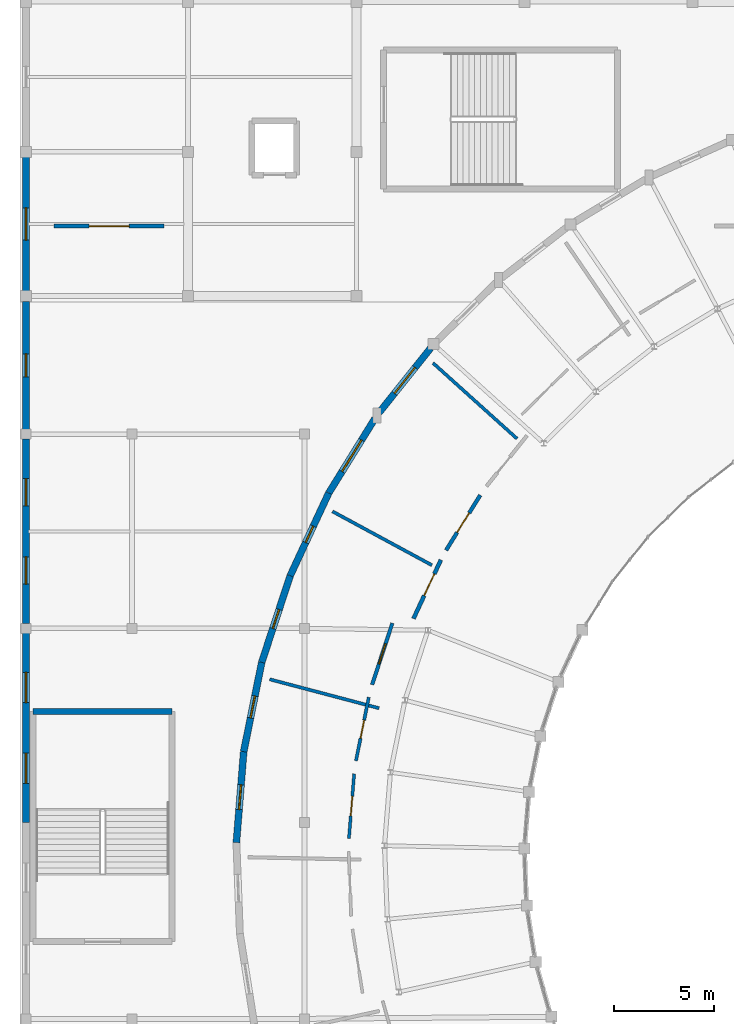
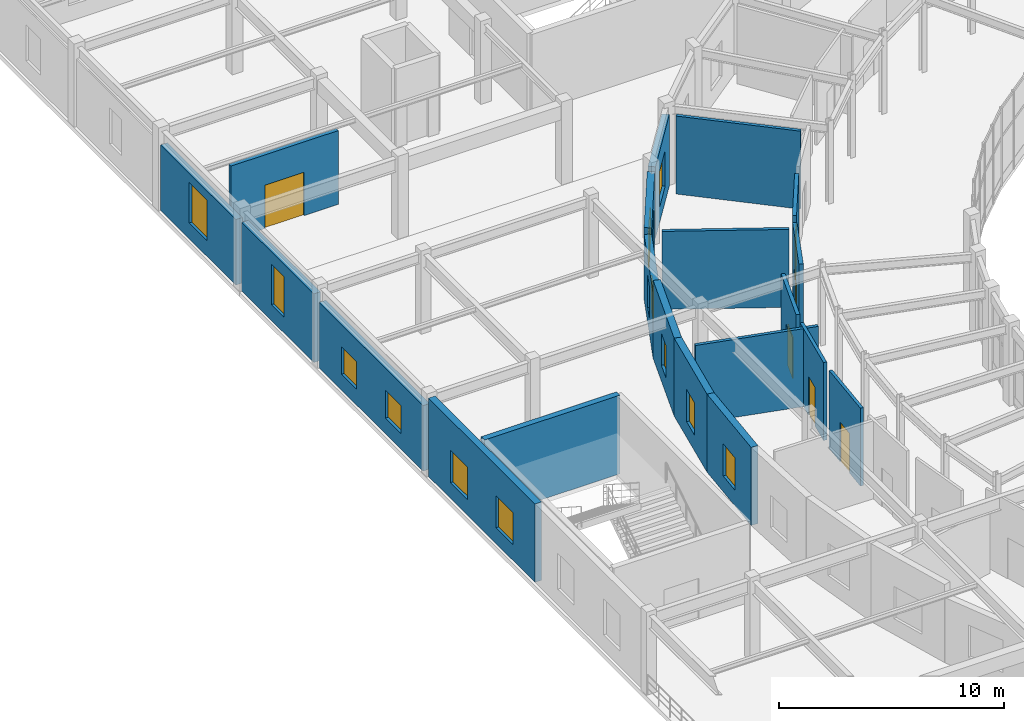
# One storey, part 86 of 112: 20 walls, 12 windows, 6 doors, 18 openings.
"""IFC4 building model written with IfcOpenShell, lengths in metres."""

from ifc_helpers import new_model, si_unit, direction, frame, frame_2d, origin, place, context, subcontext, project, spatial, rectangle, extrude, material, layer, layer_set, type_object, element, fill, save


model = new_model("IFC4")

# Units and contexts
model_context = context("Model", 3, precision=1e-05, world=origin(), true_north=direction((0.0, 1.0)))
body_context = subcontext(model_context, "Body", "Model", "MODEL_VIEW")
ifc_project = project(units=[si_unit("LENGTHUNIT", "METRE"), si_unit("AREAUNIT", "SQUARE_METRE"), si_unit("VOLUMEUNIT", "CUBIC_METRE"), si_unit("PLANEANGLEUNIT", "RADIAN"), si_unit("MASSUNIT", "GRAM", prefix="KILO")], contexts=[model_context])

# Site, building, storey
site_placement = place(None, origin())
site = spatial("IfcSite", under=ifc_project, at=site_placement, CompositionType="ELEMENT")
building_placement = place(site_placement, origin())
building = spatial("IfcBuilding", under=site, at=building_placement, Name="Cinderbank Siding Concert Hall", CompositionType="ELEMENT")
storey_placement = place(building_placement, frame((0.0, 0.0, 10.199951171875)))
storey = spatial("IfcBuildingStorey", under=building, at=storey_placement, Name="L03", CompositionType="ELEMENT", Elevation=10.199951171875)

# Wall
ifc_material_1 = material(Name="Reinforced concrete AS 3600 N50 (50 MPa)", Category="concrete")
ifc_layer_1 = layer(ifc_material_1, 0.300048828125)
ifc_layer_set_1 = layer_set([ifc_layer_1], Name="Reinforced concrete AS 3600 N50 (50 MPa)")
wall_type_1 = type_object("IfcWallType", Name="WL-03 Structural Wall 300mm", PredefinedType="SHEAR", material=ifc_layer_set_1)
wall_1_placement = place(storey_placement, frame((7.4599609375, 75.340087890625, 0.0), z_axis=(0.0, 0.0, 1.0), x_axis=(1.0, 0.0, 0.0)))
element("IfcWall", 1, at=wall_1_placement, inside=storey, type_object=wall_type_1, Name="L03 ST-09 Core Wall FAR", PredefinedType="SHEAR", context=body_context, shape_type="SweptSolid", body=[
    extrude(rectangle(XDim=6.93994140625, YDim=0.300048828125, at=frame_2d((3.469970703125, 0.0))), origin(), (0.0, 0.0, 1.0), 4.260009765625),
])

# Wall, opening, window
ifc_material_2 = material(Name="Clinker clay brickwork masonry AS 3700 (20 MPa)", Category="masonry")
ifc_layer_2 = layer(ifc_material_2, 0.340087890625)
ifc_layer_set_2 = layer_set([ifc_layer_2], Name="Clinker clay brickwork masonry AS 3700 (20 MPa)")
wall_type_2 = type_object("IfcWallType", Name="WL-07 Exterior Wall 340mm", PredefinedType="STANDARD", material=ifc_layer_set_2)
wall_2_placement = place(storey_placement, frame((27.301025390625, 93.491455078125, 0.0), z_axis=(0.0, 0.0, 1.0), x_axis=(-0.623868827064, -0.781529069592, 0.0)))
wall_2 = element("IfcWall", 2, at=wall_2_placement, inside=storey, type_object=wall_type_2, Name="L03 Facade Wall EW-WOUT-L03-06", PredefinedType="STANDARD", context=body_context, shape_type="SweptSolid", body=[
    extrude(rectangle(XDim=4.10986328125, YDim=0.340087890625, at=frame_2d((2.054931640625, 0.0))), origin(), (0.0, 0.0, 1.0), 3.876953125),
])
opening_1_placement = place(wall_2_placement, frame((1.22998046875, 0.0, 0.85009765625)))
opening_1 = element("IfcOpeningElement", 3, at=opening_1_placement, cuts=wall_2, Name="Opening WN-15", PredefinedType="OPENING", context=body_context, shape_type="SweptSolid", body=[
    extrude(rectangle(XDim=1.64990234375, YDim=1.949951171875, at=frame_2d((0.824951171875, 0.97509765625))), frame((0.0, 0.18212890625, 0.0), z_axis=(0.0, -1.0, 0.0), x_axis=(1.0, 0.0, 0.0)), (0.0, 0.0, 1.0), 0.364013671875),
])
ifc_material_3 = material(Name="Double-glazed laminated acoustic glass", Category="glass")
window_type_1 = type_object("IfcWindowType", Name="WN-15 Acoustic Casement Window 1650x1950", PartitioningType="DOUBLE_PANEL_VERTICAL", PredefinedType="WINDOW", material=ifc_material_3)
window_1_placement = place(opening_1_placement, origin())
window_1 = element("IfcWindow", 4, at=window_1_placement, inside=storey, type_object=window_type_1, Name="L03 Facade Window #31", OverallHeight=1.949951171875, OverallWidth=1.64990234375, PartitioningType="DOUBLE_PANEL_VERTICAL", PredefinedType="WINDOW", context=body_context, shape_type="SweptSolid", body=[
    extrude(rectangle(XDim=1.64990234375, YDim=1.949951171875, at=frame_2d((0.824951171875, 0.97509765625))), frame((0.0, 0.030029296875, 0.0), z_axis=(0.0, -1.0, 0.0), x_axis=(1.0, 0.0, 0.0)), (0.0, 0.0, 1.0), 0.06005859375),
])
fill(opening_1, window_1)

wall_3_placement = place(storey_placement, frame((24.524169921875, 89.977783203125, 0.0), z_axis=(0.0, 0.0, 1.0), x_axis=(-0.526962268349, -0.849888679614, 0.0)))
wall_3 = element("IfcWall", 5, at=wall_3_placement, inside=storey, type_object=wall_type_2, Name="L03 Facade Wall EW-WOUT-L03-07", PredefinedType="STANDARD", context=body_context, shape_type="SweptSolid", body=[
    extrude(rectangle(XDim=4.369873046875, YDim=0.340087890625, at=frame_2d((2.18505859375, 0.0))), origin(), (0.0, 0.0, 1.0), 3.876953125),
])
opening_2_placement = place(wall_3_placement, frame((1.259765625, 0.0, 0.85009765625)))
opening_2 = element("IfcOpeningElement", 6, at=opening_2_placement, cuts=wall_3, Name="Opening WN-16", PredefinedType="OPENING", context=body_context, shape_type="SweptSolid", body=[
    extrude(rectangle(XDim=1.85009765625, YDim=1.949951171875, at=frame_2d((0.925048828125, 0.97509765625))), frame((0.0, 0.18212890625, 0.0), z_axis=(0.0, -1.0, 0.0), x_axis=(1.0, 0.0, 0.0)), (0.0, 0.0, 1.0), 0.364013671875),
])
window_type_2 = type_object("IfcWindowType", Name="WN-16 Acoustic Casement Window 1850x1950", PartitioningType="DOUBLE_PANEL_VERTICAL", PredefinedType="WINDOW", material=ifc_material_3)
window_2_placement = place(opening_2_placement, origin())
window_2 = element("IfcWindow", 7, at=window_2_placement, inside=storey, type_object=window_type_2, Name="L03 Facade Window #32", OverallHeight=1.949951171875, OverallWidth=1.85009765625, PartitioningType="DOUBLE_PANEL_VERTICAL", PredefinedType="WINDOW", context=body_context, shape_type="SweptSolid", body=[
    extrude(rectangle(XDim=1.85009765625, YDim=1.949951171875, at=frame_2d((0.925048828125, 0.97509765625))), frame((0.0, 0.030029296875, 0.0), z_axis=(0.0, -1.0, 0.0), x_axis=(1.0, 0.0, 0.0)), (0.0, 0.0, 1.0), 0.06005859375),
])
fill(opening_2, window_2)

wall_4_placement = place(storey_placement, frame((22.221435546875, 86.263916015625, 0.0), z_axis=(0.0, 0.0, 1.0), x_axis=(-0.422603737243, -0.90631455978, 0.0)))
wall_4 = element("IfcWall", 8, at=wall_4_placement, inside=storey, type_object=wall_type_2, Name="L03 Facade Wall EW-WOUT-L03-08", PredefinedType="STANDARD", context=body_context, shape_type="SweptSolid", body=[
    extrude(rectangle(XDim=4.5546875, YDim=0.340087890625, at=frame_2d((2.27734375, 0.0))), origin(), (0.0, 0.0, 1.0), 3.527099609375),
])
opening_3_placement = place(wall_4_placement, frame((1.827392578125, 0.0, 0.85009765625)))
opening_3 = element("IfcOpeningElement", 9, at=opening_3_placement, cuts=wall_4, Name="Opening WN-17", PredefinedType="OPENING", context=body_context, shape_type="SweptSolid", body=[
    extrude(rectangle(XDim=0.89990234375, YDim=1.75, at=frame_2d((0.449951171875, 0.875))), frame((0.0, 0.18212890625, 0.0), z_axis=(0.0, -1.0, 0.0), x_axis=(1.0, 0.0, 0.0)), (0.0, 0.0, 1.0), 0.364013671875),
])
window_type_3 = type_object("IfcWindowType", Name="WN-17 Acoustic Casement Window 900x1750", PartitioningType="DOUBLE_PANEL_VERTICAL", PredefinedType="WINDOW", material=ifc_material_3)
window_3_placement = place(opening_3_placement, origin())
window_3 = element("IfcWindow", 10, at=window_3_placement, inside=storey, type_object=window_type_3, Name="L03 Facade Window #33", OverallHeight=1.75, OverallWidth=0.89990234375, PartitioningType="DOUBLE_PANEL_VERTICAL", PredefinedType="WINDOW", context=body_context, shape_type="SweptSolid", body=[
    extrude(rectangle(XDim=0.89990234375, YDim=1.75, at=frame_2d((0.449951171875, 0.875))), frame((0.0, 0.030029296875, 0.0), z_axis=(0.0, -1.0, 0.0), x_axis=(1.0, 0.0, 0.0)), (0.0, 0.0, 1.0), 0.06005859375),
])
fill(opening_3, window_3)

wall_5_placement = place(storey_placement, frame((20.296630859375, 82.135986328125, 0.0), z_axis=(0.0, 0.0, 1.0), x_axis=(-0.312333665048, -0.949972463642, 0.0)))
wall_5 = element("IfcWall", 11, at=wall_5_placement, inside=storey, type_object=wall_type_2, Name="L03 Facade Wall EW-WOUT-L03-09", PredefinedType="STANDARD", context=body_context, shape_type="SweptSolid", body=[
    extrude(rectangle(XDim=4.5546875, YDim=0.340087890625, at=frame_2d((2.27734375, 0.0))), origin(), (0.0, 0.0, 1.0), 4.22509765625),
])
opening_4_placement = place(wall_5_placement, frame((1.77734375, 0.0, 0.85009765625)))
opening_4 = element("IfcOpeningElement", 12, at=opening_4_placement, cuts=wall_5, Name="Opening WN-18", PredefinedType="OPENING", context=body_context, shape_type="SweptSolid", body=[
    extrude(rectangle(XDim=1.0, YDim=1.75, at=frame_2d((0.5, 0.875))), frame((0.0, 0.18212890625, 0.0), z_axis=(0.0, -1.0, 0.0), x_axis=(1.0, 0.0, 0.0)), (0.0, 0.0, 1.0), 0.364013671875),
])
window_type_4 = type_object("IfcWindowType", Name="WN-18 Acoustic Casement Window 1000x1750", PartitioningType="DOUBLE_PANEL_VERTICAL", PredefinedType="WINDOW", material=ifc_material_3)
window_4_placement = place(opening_4_placement, origin())
window_4 = element("IfcWindow", 13, at=window_4_placement, inside=storey, type_object=window_type_4, Name="L03 Facade Window #34", OverallHeight=1.75, OverallWidth=1.0, PartitioningType="DOUBLE_PANEL_VERTICAL", PredefinedType="WINDOW", context=body_context, shape_type="SweptSolid", body=[
    extrude(rectangle(XDim=1.0, YDim=1.75, at=frame_2d((0.5, 0.875))), frame((0.0, 0.030029296875, 0.0), z_axis=(0.0, -1.0, 0.0), x_axis=(1.0, 0.0, 0.0)), (0.0, 0.0, 1.0), 0.06005859375),
])
fill(opening_4, window_4)

wall_6_placement = place(storey_placement, frame((18.8740234375, 77.80908203125, 0.0), z_axis=(0.0, 0.0, 1.0), x_axis=(-0.197682700785, -0.980266060726, 0.0)))
wall_6 = element("IfcWall", 14, at=wall_6_placement, inside=storey, type_object=wall_type_2, Name="L03 Facade Wall EW-WOUT-L03-10", PredefinedType="STANDARD", context=body_context, shape_type="SweptSolid", body=[
    extrude(rectangle(XDim=4.5546875, YDim=0.340087890625, at=frame_2d((2.27734375, 0.0))), origin(), (0.0, 0.0, 1.0), 4.22509765625),
])
opening_5_placement = place(wall_6_placement, frame((1.71728515625, 0.0, 0.85009765625)))
opening_5 = element("IfcOpeningElement", 15, at=opening_5_placement, cuts=wall_6, Name="Opening WN-19", PredefinedType="OPENING", context=body_context, shape_type="SweptSolid", body=[
    extrude(rectangle(XDim=1.1201171875, YDim=1.75, at=frame_2d((0.56005859375, 0.875))), frame((0.0, 0.18212890625, 0.0), z_axis=(0.0, -1.0, 0.0), x_axis=(1.0, 0.0, 0.0)), (0.0, 0.0, 1.0), 0.364013671875),
])
window_type_5 = type_object("IfcWindowType", Name="WN-19 Acoustic Casement Window 1120x1750", PartitioningType="DOUBLE_PANEL_VERTICAL", PredefinedType="WINDOW", material=ifc_material_3)
window_5_placement = place(opening_5_placement, origin())
window_5 = element("IfcWindow", 16, at=window_5_placement, inside=storey, type_object=window_type_5, Name="L03 Facade Window #35", OverallHeight=1.75, OverallWidth=1.1201171875, PartitioningType="DOUBLE_PANEL_VERTICAL", PredefinedType="WINDOW", context=body_context, shape_type="SweptSolid", body=[
    extrude(rectangle(XDim=1.1201171875, YDim=1.75, at=frame_2d((0.56005859375, 0.875))), frame((0.0, 0.030029296875, 0.0), z_axis=(0.0, -1.0, 0.0), x_axis=(1.0, 0.0, 0.0)), (0.0, 0.0, 1.0), 0.06005859375),
])
fill(opening_5, window_5)

wall_7_placement = place(storey_placement, frame((17.9736328125, 73.34423828125, 0.0), z_axis=(0.0, 0.0, 1.0), x_axis=(-0.080188345633, -0.996779729541, 0.0)))
wall_7 = element("IfcWall", 17, at=wall_7_placement, inside=storey, type_object=wall_type_2, Name="L03 Facade Wall EW-WOUT-L03-11", PredefinedType="STANDARD", context=body_context, shape_type="SweptSolid", body=[
    extrude(rectangle(XDim=4.5546875, YDim=0.340087890625, at=frame_2d((2.27734375, 0.0))), origin(), (0.0, 0.0, 1.0), 4.22509765625),
])
opening_6_placement = place(wall_7_placement, frame((1.6572265625, 0.0, 0.85009765625)))
opening_6 = element("IfcOpeningElement", 18, at=opening_6_placement, cuts=wall_7, Name="Opening WN-20", PredefinedType="OPENING", context=body_context, shape_type="SweptSolid", body=[
    extrude(rectangle(XDim=1.239990234375, YDim=1.75, at=frame_2d((0.6201171875, 0.875))), frame((0.0, 0.18212890625, 0.0), z_axis=(0.0, -1.0, 0.0), x_axis=(1.0, 0.0, 0.0)), (0.0, 0.0, 1.0), 0.364013671875),
])
window_type_6 = type_object("IfcWindowType", Name="WN-20 Acoustic Casement Window 1240x1750", PartitioningType="DOUBLE_PANEL_VERTICAL", PredefinedType="WINDOW", material=ifc_material_3)
window_6_placement = place(opening_6_placement, origin())
window_6 = element("IfcWindow", 19, at=window_6_placement, inside=storey, type_object=window_type_6, Name="L03 Facade Window #36", OverallHeight=1.75, OverallWidth=1.239990234375, PartitioningType="DOUBLE_PANEL_VERTICAL", PredefinedType="WINDOW", context=body_context, shape_type="SweptSolid", body=[
    extrude(rectangle(XDim=1.239990234375, YDim=1.75, at=frame_2d((0.6201171875, 0.875))), frame((0.0, 0.030029296875, 0.0), z_axis=(0.0, -1.0, 0.0), x_axis=(1.0, 0.0, 0.0)), (0.0, 0.0, 1.0), 0.06005859375),
])
fill(opening_6, window_6)

# Wall, openings, windows
wall_8_placement = place(storey_placement, frame((7.10009765625, 69.800048828125, 0.0), z_axis=(0.0, 0.0, 1.0), x_axis=(0.0, 1.0, 0.0)))
wall_8 = element("IfcWall", 20, at=wall_8_placement, inside=storey, type_object=wall_type_2, Name="L03 Facade Wall EW-WL-W3-L03", PredefinedType="STANDARD", context=body_context, shape_type="SweptSolid", body=[
    extrude(rectangle(XDim=9.46484375, YDim=0.340087890625, at=frame_2d((4.732421875, 0.0))), origin(), (0.0, 0.0, 1.0), 4.2451171875),
])
opening_7_placement = place(wall_8_placement, frame((1.956298828125, 0.0, 0.85009765625)))
opening_7 = element("IfcOpeningElement", 21, at=opening_7_placement, cuts=wall_8, Name="Opening WN-22", PredefinedType="OPENING", context=body_context, shape_type="SweptSolid", body=[
    extrude(rectangle(XDim=1.52001953125, YDim=1.75, at=frame_2d((0.760009765625, 0.875))), frame((0.0, 0.18212890625, 0.0), z_axis=(0.0, -1.0, 0.0), x_axis=(1.0, 0.0, 0.0)), (0.0, 0.0, 1.0), 0.364013671875),
])
opening_8_placement = place(wall_8_placement, frame((5.98876953125, 0.0, 0.85009765625)))
opening_8 = element("IfcOpeningElement", 22, at=opening_8_placement, cuts=wall_8, Name="Opening WN-22", PredefinedType="OPENING", context=body_context, shape_type="SweptSolid", body=[
    extrude(rectangle(XDim=1.52001953125, YDim=1.75, at=frame_2d((0.760009765625, 0.875))), frame((0.0, 0.18212890625, 0.0), z_axis=(0.0, -1.0, 0.0), x_axis=(1.0, 0.0, 0.0)), (0.0, 0.0, 1.0), 0.364013671875),
])
window_type_7 = type_object("IfcWindowType", Name="WN-22 Acoustic Casement Window 1520x1750", PartitioningType="DOUBLE_PANEL_VERTICAL", PredefinedType="WINDOW", material=ifc_material_3)
window_7_placement = place(opening_7_placement, origin())
window_7 = element("IfcWindow", 23, at=window_7_placement, inside=storey, type_object=window_type_7, Name="L03 Facade Window #100", OverallHeight=1.75, OverallWidth=1.52001953125, PartitioningType="DOUBLE_PANEL_VERTICAL", PredefinedType="WINDOW", context=body_context, shape_type="SweptSolid", body=[
    extrude(rectangle(XDim=1.52001953125, YDim=1.75, at=frame_2d((0.760009765625, 0.875))), frame((0.0, 0.030029296875, 0.0), z_axis=(0.0, -1.0, 0.0), x_axis=(1.0, 0.0, 0.0)), (0.0, 0.0, 1.0), 0.06005859375),
])
fill(opening_7, window_7)
window_8_placement = place(opening_8_placement, origin())
window_8 = element("IfcWindow", 24, at=window_8_placement, inside=storey, type_object=window_type_7, Name="L03 Facade Window #101", OverallHeight=1.75, OverallWidth=1.52001953125, PartitioningType="DOUBLE_PANEL_VERTICAL", PredefinedType="WINDOW", context=body_context, shape_type="SweptSolid", body=[
    extrude(rectangle(XDim=1.52001953125, YDim=1.75, at=frame_2d((0.760009765625, 0.875))), frame((0.0, 0.030029296875, 0.0), z_axis=(0.0, -1.0, 0.0), x_axis=(1.0, 0.0, 0.0)), (0.0, 0.0, 1.0), 0.06005859375),
])
fill(opening_8, window_8)

wall_9_placement = place(storey_placement, frame((7.10009765625, 79.735107421875, 0.0), z_axis=(0.0, 0.0, 1.0), x_axis=(0.0, 1.0, 0.0)))
wall_9 = element("IfcWall", 25, at=wall_9_placement, inside=storey, type_object=wall_type_2, Name="L03 Facade Wall EW-WL-W4-L03", PredefinedType="STANDARD", context=body_context, shape_type="SweptSolid", body=[
    extrude(rectangle(XDim=9.22998046875, YDim=0.340087890625, at=frame_2d((4.614990234375, 0.0))), origin(), (0.0, 0.0, 1.0), 3.547119140625),
])
opening_9_placement = place(wall_9_placement, frame((1.9775390625, 0.0, 0.85009765625)))
opening_9 = element("IfcOpeningElement", 26, at=opening_9_placement, cuts=wall_9, Name="Opening WN-28", PredefinedType="OPENING", context=body_context, shape_type="SweptSolid", body=[
    extrude(rectangle(XDim=1.360107421875, YDim=1.5, at=frame_2d((0.68017578125, 0.75))), frame((0.0, 0.18212890625, 0.0), z_axis=(0.0, -1.0, 0.0), x_axis=(1.0, 0.0, 0.0)), (0.0, 0.0, 1.0), 0.364013671875),
])
opening_10_placement = place(wall_9_placement, frame((5.892578125, 0.0, 0.85009765625)))
opening_10 = element("IfcOpeningElement", 27, at=opening_10_placement, cuts=wall_9, Name="Opening WN-28", PredefinedType="OPENING", context=body_context, shape_type="SweptSolid", body=[
    extrude(rectangle(XDim=1.360107421875, YDim=1.5, at=frame_2d((0.68017578125, 0.75))), frame((0.0, 0.18212890625, 0.0), z_axis=(0.0, -1.0, 0.0), x_axis=(1.0, 0.0, 0.0)), (0.0, 0.0, 1.0), 0.364013671875),
])
window_type_8 = type_object("IfcWindowType", Name="WN-28 Acoustic Casement Window 1360x1500", PartitioningType="DOUBLE_PANEL_VERTICAL", PredefinedType="WINDOW", material=ifc_material_3)
window_9_placement = place(opening_9_placement, origin())
window_9 = element("IfcWindow", 28, at=window_9_placement, inside=storey, type_object=window_type_8, Name="L03 Facade Window #106", OverallHeight=1.5, OverallWidth=1.360107421875, PartitioningType="DOUBLE_PANEL_VERTICAL", PredefinedType="WINDOW", context=body_context, shape_type="SweptSolid", body=[
    extrude(rectangle(XDim=1.360107421875, YDim=1.5, at=frame_2d((0.68017578125, 0.75))), frame((0.0, 0.030029296875, 0.0), z_axis=(0.0, -1.0, 0.0), x_axis=(1.0, 0.0, 0.0)), (0.0, 0.0, 1.0), 0.06005859375),
])
fill(opening_9, window_9)
window_10_placement = place(opening_10_placement, origin())
window_10 = element("IfcWindow", 29, at=window_10_placement, inside=storey, type_object=window_type_8, Name="L03 Facade Window #107", OverallHeight=1.5, OverallWidth=1.360107421875, PartitioningType="DOUBLE_PANEL_VERTICAL", PredefinedType="WINDOW", context=body_context, shape_type="SweptSolid", body=[
    extrude(rectangle(XDim=1.360107421875, YDim=1.5, at=frame_2d((0.68017578125, 0.75))), frame((0.0, 0.030029296875, 0.0), z_axis=(0.0, -1.0, 0.0), x_axis=(1.0, 0.0, 0.0)), (0.0, 0.0, 1.0), 0.06005859375),
])
fill(opening_10, window_10)

# Wall, opening, window
wall_10_placement = place(storey_placement, frame((7.10009765625, 89.43505859375, 0.0), z_axis=(0.0, 0.0, 1.0), x_axis=(0.0, 1.0, 0.0)))
wall_10 = element("IfcWall", 30, at=wall_10_placement, inside=storey, type_object=wall_type_2, Name="L03 Facade Wall EW-WL-W5-L03", PredefinedType="STANDARD", context=body_context, shape_type="SweptSolid", body=[
    extrude(rectangle(XDim=6.405029296875, YDim=0.340087890625, at=frame_2d((3.20263671875, 0.0))), origin(), (0.0, 0.0, 1.0), 3.71875),
])
opening_11_placement = place(wall_10_placement, frame((2.62744140625, 0.0, 0.85009765625)))
opening_11 = element("IfcOpeningElement", 31, at=opening_11_placement, cuts=wall_10, Name="Opening WN-04", PredefinedType="OPENING", context=body_context, shape_type="SweptSolid", body=[
    extrude(rectangle(XDim=1.14990234375, YDim=2.199951171875, at=frame_2d((0.574951171875, 1.10009765625))), frame((0.0, 0.18212890625, 0.0), z_axis=(0.0, -1.0, 0.0), x_axis=(1.0, 0.0, 0.0)), (0.0, 0.0, 1.0), 0.364013671875),
])
window_type_9 = type_object("IfcWindowType", Name="WN-04 Acoustic Casement Window 1150x2200", PartitioningType="DOUBLE_PANEL_VERTICAL", PredefinedType="WINDOW", material=ifc_material_3)
window_11_placement = place(opening_11_placement, origin())
window_11 = element("IfcWindow", 32, at=window_11_placement, inside=storey, type_object=window_type_9, Name="L03 Facade Window #112", OverallHeight=2.199951171875, OverallWidth=1.14990234375, PartitioningType="DOUBLE_PANEL_VERTICAL", PredefinedType="WINDOW", context=body_context, shape_type="SweptSolid", body=[
    extrude(rectangle(XDim=1.14990234375, YDim=2.199951171875, at=frame_2d((0.574951171875, 1.10009765625))), frame((0.0, 0.030029296875, 0.0), z_axis=(0.0, -1.0, 0.0), x_axis=(1.0, 0.0, 0.0)), (0.0, 0.0, 1.0), 0.06005859375),
])
fill(opening_11, window_11)

wall_11_placement = place(storey_placement, frame((7.10009765625, 96.360107421875, 0.0), z_axis=(0.0, 0.0, 1.0), x_axis=(0.0, 1.0, 0.0)))
wall_11 = element("IfcWall", 33, at=wall_11_placement, inside=storey, type_object=wall_type_2, Name="L03 Facade Wall EW-NW-W1-L03", PredefinedType="STANDARD", context=body_context, shape_type="SweptSolid", body=[
    extrude(rectangle(XDim=6.679931640625, YDim=0.340087890625, at=frame_2d((3.33984375, 0.0))), origin(), (0.0, 0.0, 1.0), 3.547119140625),
])
opening_12_placement = place(wall_11_placement, frame((2.5400390625, 0.0, 0.85009765625)))
opening_12 = element("IfcOpeningElement", 34, at=opening_12_placement, cuts=wall_11, Name="Opening WN-07", PredefinedType="OPENING", context=body_context, shape_type="SweptSolid", body=[
    extrude(rectangle(XDim=1.60009765625, YDim=2.199951171875, at=frame_2d((0.800048828125, 1.10009765625))), frame((0.0, 0.18212890625, 0.0), z_axis=(0.0, -1.0, 0.0), x_axis=(1.0, 0.0, 0.0)), (0.0, 0.0, 1.0), 0.364013671875),
])
window_type_10 = type_object("IfcWindowType", Name="WN-07 Acoustic Casement Window 1600x2200", PartitioningType="DOUBLE_PANEL_VERTICAL", PredefinedType="WINDOW", material=ifc_material_3)
window_12_placement = place(opening_12_placement, origin())
window_12 = element("IfcWindow", 35, at=window_12_placement, inside=storey, type_object=window_type_10, Name="L03 Facade Window #115", OverallHeight=2.199951171875, OverallWidth=1.60009765625, PartitioningType="DOUBLE_PANEL_VERTICAL", PredefinedType="WINDOW", context=body_context, shape_type="SweptSolid", body=[
    extrude(rectangle(XDim=1.60009765625, YDim=2.199951171875, at=frame_2d((0.800048828125, 1.10009765625))), frame((0.0, 0.030029296875, 0.0), z_axis=(0.0, -1.0, 0.0), x_axis=(1.0, 0.0, 0.0)), (0.0, 0.0, 1.0), 0.06005859375),
])
fill(opening_12, window_12)

# Wall, opening, door
ifc_material_4 = material(Name="Acoustic plasterboard on light-gauge steel studs", Category="gypsum")
ifc_layer_3 = layer(ifc_material_4, 0.199951171875)
ifc_layer_set_3 = layer_set([ifc_layer_3], Name="Acoustic plasterboard on light-gauge steel studs")
wall_type_3 = type_object("IfcWallType", Name="WL-12 Interior Wall 200mm", PredefinedType="PARTITIONING", material=ifc_layer_set_3)
wall_12_placement = place(storey_placement, frame((27.822265625, 82.92529296875, 0.0), z_axis=(0.0, 0.0, 1.0), x_axis=(-0.422670745522, -0.906283311597, 0.0)))
wall_12 = element("IfcWall", 36, at=wall_12_placement, inside=storey, type_object=wall_type_3, Name="L03 Partition Studio Bay W08", PredefinedType="PARTITIONING", context=body_context, shape_type="SweptSolid", body=[
    extrude(rectangle(XDim=3.237060546875, YDim=0.199951171875, at=frame_2d((1.61865234375, 0.0))), origin(), (0.0, 0.0, 1.0), 4.22509765625),
])
opening_13_placement = place(wall_12_placement, frame((0.7685546875, 0.0, 0.0)))
opening_13 = element("IfcOpeningElement", 37, at=opening_13_placement, cuts=wall_12, Name="Opening D-12", PredefinedType="OPENING", context=body_context, shape_type="SweptSolid", body=[
    extrude(rectangle(XDim=1.199951171875, YDim=2.300048828125, at=frame_2d((0.60009765625, 1.14990234375))), frame((0.0, 0.11181640625, 0.0), z_axis=(0.0, -1.0, 0.0), x_axis=(1.0, 0.0, 0.0)), (0.0, 0.0, 1.0), 0.223876953125),
])
ifc_material_5 = material(Name="Solid-core spotted gum acoustic timber", Category="wood")
door_type_1 = type_object("IfcDoorType", Name="D-12 Interior Door 1200x2300", OperationType="NOTDEFINED", PredefinedType="DOOR", material=ifc_material_5)
door_1_placement = place(opening_13_placement, origin())
door_1 = element("IfcDoor", 38, at=door_1_placement, inside=storey, type_object=door_type_1, Name="L03 Studio Bay W08 Door L03-D216", OperationType="SINGLE_SWING_LEFT", OverallHeight=2.300048828125, OverallWidth=1.199951171875, PredefinedType="DOOR", context=body_context, shape_type="SweptSolid", body=[
    extrude(rectangle(XDim=1.199951171875, YDim=2.300048828125, at=frame_2d((0.60009765625, 1.14990234375))), frame((0.0, 0.02490234375, 0.0), z_axis=(0.0, -1.0, 0.0), x_axis=(1.0, 0.0, 0.0)), (0.0, 0.0, 1.0), 0.050048828125),
])
fill(opening_13, door_1)

wall_13_placement = place(storey_placement, frame((8.5, 99.60009765625, 0.0), z_axis=(0.0, 0.0, 1.0), x_axis=(1.0, 0.0, 0.0)))
wall_13 = element("IfcWall", 39, at=wall_13_placement, inside=storey, type_object=wall_type_3, Name="L03 Partition Music Library West", PredefinedType="PARTITIONING", context=body_context, shape_type="SweptSolid", body=[
    extrude(rectangle(XDim=5.5, YDim=0.199951171875, at=frame_2d((2.75, 0.0))), origin(), (0.0, 0.0, 1.0), 3.995361328125),
])
opening_14_placement = place(wall_13_placement, frame((1.75, 0.0, 0.0)))
opening_14 = element("IfcOpeningElement", 40, at=opening_14_placement, cuts=wall_13, Name="Opening D-07", PredefinedType="OPENING", context=body_context, shape_type="SweptSolid", body=[
    extrude(rectangle(XDim=2.0, YDim=2.35009765625, at=frame_2d((1.0, 1.175048828125))), frame((0.0, 0.11181640625, 0.0), z_axis=(0.0, -1.0, 0.0), x_axis=(1.0, 0.0, 0.0)), (0.0, 0.0, 1.0), 0.223876953125),
])
door_type_2 = type_object("IfcDoorType", Name="D-07 Interior Door 2000x2350", OperationType="DOUBLE_DOOR_SINGLE_SWING", PredefinedType="DOOR", material=ifc_material_5)
door_2_placement = place(opening_14_placement, origin())
door_2 = element("IfcDoor", 41, at=door_2_placement, inside=storey, type_object=door_type_2, Name="L03 Music Library West Door L03-D269", OperationType="DOUBLE_DOOR_SINGLE_SWING", OverallHeight=2.35009765625, OverallWidth=2.0, PredefinedType="DOOR", context=body_context, shape_type="SweptSolid", body=[
    extrude(rectangle(XDim=2.0, YDim=2.35009765625, at=frame_2d((1.0, 1.175048828125))), frame((0.0, 0.02490234375, 0.0), z_axis=(0.0, -1.0, 0.0), x_axis=(1.0, 0.0, 0.0)), (0.0, 0.0, 1.0), 0.050048828125),
])
fill(opening_14, door_2)

ifc_layer_4 = layer(ifc_material_4, 0.179931640625)
ifc_layer_set_4 = layer_set([ifc_layer_4], Name="Acoustic plasterboard on light-gauge steel studs")
wall_type_4 = type_object("IfcWallType", Name="WL-13 Interior Wall 180mm", PredefinedType="PARTITIONING", material=ifc_layer_set_4)
wall_14_placement = place(storey_placement, frame((25.398193359375, 79.76513671875, 0.0), z_axis=(0.0, 0.0, 1.0), x_axis=(-0.312310818937, -0.949979974723, 0.0)))
wall_14 = element("IfcWall", 42, at=wall_14_placement, inside=storey, type_object=wall_type_4, Name="L03 Partition Studio Bay W09", PredefinedType="PARTITIONING", context=body_context, shape_type="SweptSolid", body=[
    extrude(rectangle(XDim=3.237060546875, YDim=0.179931640625, at=frame_2d((1.61865234375, 0.0))), origin(), (0.0, 0.0, 1.0), 4.22509765625),
])
opening_15_placement = place(wall_14_placement, frame((1.08837890625, 0.0, 0.0)))
opening_15 = element("IfcOpeningElement", 43, at=opening_15_placement, cuts=wall_14, Name="Opening D-18", PredefinedType="OPENING", context=body_context, shape_type="SweptSolid", body=[
    extrude(rectangle(XDim=1.06005859375, YDim=2.239990234375, at=frame_2d((0.530029296875, 1.1201171875))), frame((0.0, 0.10205078125, 0.0), z_axis=(0.0, -1.0, 0.0), x_axis=(1.0, 0.0, 0.0)), (0.0, 0.0, 1.0), 0.203857421875),
])
door_type_3 = type_object("IfcDoorType", Name="D-18 Interior Door 1060x2240", OperationType="NOTDEFINED", PredefinedType="DOOR", material=ifc_material_5)
door_3_placement = place(opening_15_placement, origin())
door_3 = element("IfcDoor", 44, at=door_3_placement, inside=storey, type_object=door_type_3, Name="L03 Studio Bay W09 Door L03-D217", OperationType="SINGLE_SWING_RIGHT", OverallHeight=2.239990234375, OverallWidth=1.06005859375, PredefinedType="DOOR", context=body_context, shape_type="SweptSolid", body=[
    extrude(rectangle(XDim=1.06005859375, YDim=2.239990234375, at=frame_2d((0.530029296875, 1.1201171875))), frame((0.0, 0.02490234375, 0.0), z_axis=(0.0, -1.0, 0.0), x_axis=(1.0, 0.0, 0.0)), (0.0, 0.0, 1.0), 0.050048828125),
])
fill(opening_15, door_3)

# Walls
ifc_layer_5 = layer(ifc_material_4, 0.159912109375)
ifc_layer_set_5 = layer_set([ifc_layer_5], Name="Acoustic plasterboard on light-gauge steel studs")
wall_type_5 = type_object("IfcWallType", Name="WL-14 Interior Wall 160mm", PredefinedType="PARTITIONING", material=ifc_layer_set_5)
wall_15_placement = place(storey_placement, frame((31.626220703125, 88.977294921875, 0.0), z_axis=(0.0, 0.0, 1.0), x_axis=(-0.743145881682, 0.669129433323, 0.0)))
element("IfcWall", 45, at=wall_15_placement, inside=storey, type_object=wall_type_5, Name="L03 Radial Studio Demising Wall W06", PredefinedType="PARTITIONING", context=body_context, shape_type="SweptSolid", body=[
    extrude(rectangle(XDim=5.650390625, YDim=0.159912109375, at=frame_2d((2.8251953125, 0.0))), origin(), (0.0, 0.0, 1.0), 4.22509765625),
])
wall_16_placement = place(storey_placement, frame((27.376953125, 82.657958984375, 0.0), z_axis=(0.0, 0.0, 1.0), x_axis=(-0.879658145698, 0.475606504062, 0.0)))
element("IfcWall", 46, at=wall_16_placement, inside=storey, type_object=wall_type_5, Name="L03 Radial Studio Demising Wall W08", PredefinedType="PARTITIONING", context=body_context, shape_type="SweptSolid", body=[
    extrude(rectangle(XDim=5.650146484375, YDim=0.159912109375, at=frame_2d((2.8251953125, 0.0))), origin(), (0.0, 0.0, 1.0), 4.22509765625),
])
wall_17_placement = place(storey_placement, frame((24.732666015625, 75.516357421875, 0.0), z_axis=(0.0, 0.0, 1.0), x_axis=(-0.966817687277, 0.255467335621, 0.0)))
element("IfcWall", 47, at=wall_17_placement, inside=storey, type_object=wall_type_5, Name="L03 Radial Studio Demising Wall W10", PredefinedType="PARTITIONING", context=body_context, shape_type="SweptSolid", body=[
    extrude(rectangle(XDim=5.64990234375, YDim=0.159912109375, at=frame_2d((2.824951171875, 0.0))), origin(), (0.0, 0.0, 1.0), 4.22509765625),
])

# Wall, opening, door
wall_18_placement = place(storey_placement, frame((24.220458984375, 76.058837890625, 0.0), z_axis=(0.0, 0.0, 1.0), x_axis=(-0.197609875313, -0.980280744062, 0.0)))
wall_18 = element("IfcWall", 48, at=wall_18_placement, inside=storey, type_object=wall_type_5, Name="L03 Partition Studio Bay W10", PredefinedType="PARTITIONING", context=body_context, shape_type="SweptSolid", body=[
    extrude(rectangle(XDim=3.23681640625, YDim=0.159912109375, at=frame_2d((1.618408203125, 0.0))), origin(), (0.0, 0.0, 1.0), 4.22509765625),
])
opening_16_placement = place(wall_18_placement, frame((1.158447265625, 0.0, 0.0)))
opening_16 = element("IfcOpeningElement", 49, at=opening_16_placement, cuts=wall_18, Name="Opening D-09", PredefinedType="OPENING", context=body_context, shape_type="SweptSolid", body=[
    extrude(rectangle(XDim=0.919921875, YDim=2.10009765625, at=frame_2d((0.4599609375, 1.050048828125))), frame((0.0, 0.091796875, 0.0), z_axis=(0.0, -1.0, 0.0), x_axis=(1.0, 0.0, 0.0)), (0.0, 0.0, 1.0), 0.183837890625),
])
door_type_4 = type_object("IfcDoorType", Name="D-09 Interior Door 920x2100", OperationType="NOTDEFINED", PredefinedType="DOOR", material=ifc_material_5)
door_4_placement = place(opening_16_placement, origin())
door_4 = element("IfcDoor", 50, at=door_4_placement, inside=storey, type_object=door_type_4, Name="L03 Studio Bay W10 Door L03-D218", OperationType="SINGLE_SWING_LEFT", OverallHeight=2.10009765625, OverallWidth=0.919921875, PredefinedType="DOOR", context=body_context, shape_type="SweptSolid", body=[
    extrude(rectangle(XDim=0.919921875, YDim=2.10009765625, at=frame_2d((0.4599609375, 1.050048828125))), frame((0.0, 0.02490234375, 0.0), z_axis=(0.0, -1.0, 0.0), x_axis=(1.0, 0.0, 0.0)), (0.0, 0.0, 1.0), 0.050048828125),
])
fill(opening_16, door_4)

ifc_layer_6 = layer(ifc_material_4, 0.14990234375)
ifc_layer_set_6 = layer_set([ifc_layer_6], Name="Acoustic plasterboard on light-gauge steel studs")
wall_type_6 = type_object("IfcWallType", Name="WL-15 Interior Wall 150mm", PredefinedType="PARTITIONING", material=ifc_layer_set_6)
wall_19_placement = place(storey_placement, frame((23.489990234375, 72.239501953125, 0.0), z_axis=(0.0, 0.0, 1.0), x_axis=(-0.080248823667, -0.996774862394, 0.0)))
wall_19 = element("IfcWall", 51, at=wall_19_placement, inside=storey, type_object=wall_type_6, Name="L03 Partition Studio Bay W11", PredefinedType="PARTITIONING", context=body_context, shape_type="SweptSolid", body=[
    extrude(rectangle(XDim=3.237060546875, YDim=0.14990234375, at=frame_2d((1.61865234375, 0.0))), origin(), (0.0, 0.0, 1.0), 4.22509765625),
])
opening_17_placement = place(wall_19_placement, frame((1.12841796875, 0.0, 0.0)))
opening_17 = element("IfcOpeningElement", 52, at=opening_17_placement, cuts=wall_19, Name="Opening D-10", PredefinedType="OPENING", context=body_context, shape_type="SweptSolid", body=[
    extrude(rectangle(XDim=0.97998046875, YDim=2.14990234375, at=frame_2d((0.489990234375, 1.074951171875))), frame((0.0, 0.0869140625, 0.0), z_axis=(0.0, -1.0, 0.0), x_axis=(1.0, 0.0, 0.0)), (0.0, 0.0, 1.0), 0.173828125),
])
door_type_5 = type_object("IfcDoorType", Name="D-10 Interior Door 980x2150", OperationType="NOTDEFINED", PredefinedType="DOOR", material=ifc_material_5)
door_5_placement = place(opening_17_placement, origin())
door_5 = element("IfcDoor", 53, at=door_5_placement, inside=storey, type_object=door_type_5, Name="L03 Studio Bay W11 Door L03-D219", OperationType="SINGLE_SWING_RIGHT", OverallHeight=2.14990234375, OverallWidth=0.97998046875, PredefinedType="DOOR", context=body_context, shape_type="SweptSolid", body=[
    extrude(rectangle(XDim=0.97998046875, YDim=2.14990234375, at=frame_2d((0.489990234375, 1.074951171875))), frame((0.0, 0.02490234375, 0.0), z_axis=(0.0, -1.0, 0.0), x_axis=(1.0, 0.0, 0.0)), (0.0, 0.0, 1.0), 0.050048828125),
])
fill(opening_17, door_5)

ifc_layer_7 = layer(ifc_material_4, 0.18994140625)
ifc_layer_set_7 = layer_set([ifc_layer_7], Name="Acoustic plasterboard on light-gauge steel studs")
wall_type_7 = type_object("IfcWallType", Name="WL-20 Interior Wall 190mm", PredefinedType="PARTITIONING", material=ifc_layer_set_7)
wall_20_placement = place(storey_placement, frame((29.78759765625, 86.15673828125, 0.0), z_axis=(0.0, 0.0, 1.0), x_axis=(-0.526951653894, -0.849895260875, 0.0)))
wall_20 = element("IfcWall", 54, at=wall_20_placement, inside=storey, type_object=wall_type_7, Name="L03 Partition Studio Bay W07", PredefinedType="PARTITIONING", context=body_context, shape_type="SweptSolid", body=[
    extrude(rectangle(XDim=3.237060546875, YDim=0.18994140625, at=frame_2d((1.61865234375, 0.0))), origin(), (0.0, 0.0, 1.0), 4.22509765625),
])
opening_18_placement = place(wall_20_placement, frame((1.04345703125, 0.0, 0.0)))
opening_18 = element("IfcOpeningElement", 55, at=opening_18_placement, cuts=wall_20, Name="Opening D-11", PredefinedType="OPENING", context=body_context, shape_type="SweptSolid", body=[
    extrude(rectangle(XDim=1.14990234375, YDim=2.25, at=frame_2d((0.574951171875, 1.125))), frame((0.0, 0.10693359375, 0.0), z_axis=(0.0, -1.0, 0.0), x_axis=(1.0, 0.0, 0.0)), (0.0, 0.0, 1.0), 0.2138671875),
])
door_type_6 = type_object("IfcDoorType", Name="D-11 Interior Door 1150x2250", OperationType="NOTDEFINED", PredefinedType="DOOR", material=ifc_material_5)
door_6_placement = place(opening_18_placement, origin())
door_6 = element("IfcDoor", 56, at=door_6_placement, inside=storey, type_object=door_type_6, Name="L03 Studio Bay W07 Door L03-D215", OperationType="SINGLE_SWING_RIGHT", OverallHeight=2.25, OverallWidth=1.14990234375, PredefinedType="DOOR", context=body_context, shape_type="SweptSolid", body=[
    extrude(rectangle(XDim=1.14990234375, YDim=2.25, at=frame_2d((0.574951171875, 1.125))), frame((0.0, 0.02490234375, 0.0), z_axis=(0.0, -1.0, 0.0), x_axis=(1.0, 0.0, 0.0)), (0.0, 0.0, 1.0), 0.050048828125),
])
fill(opening_18, door_6)

save(model, "model.ifc")
